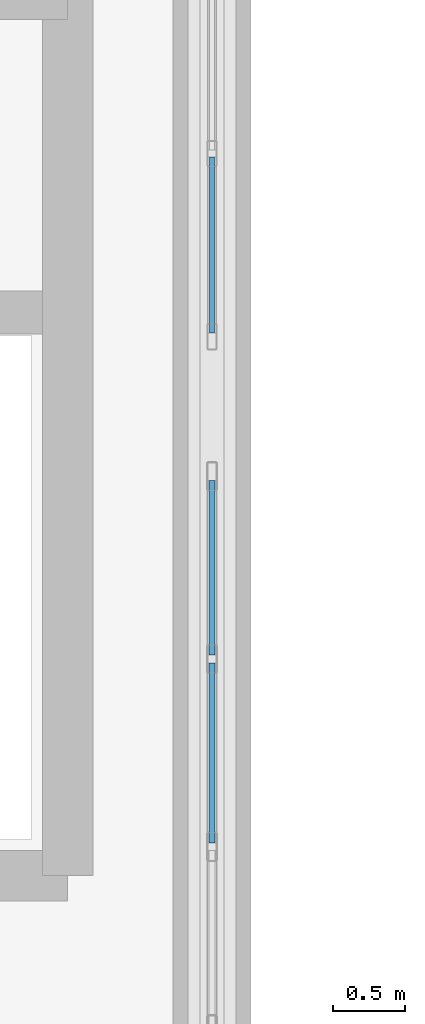
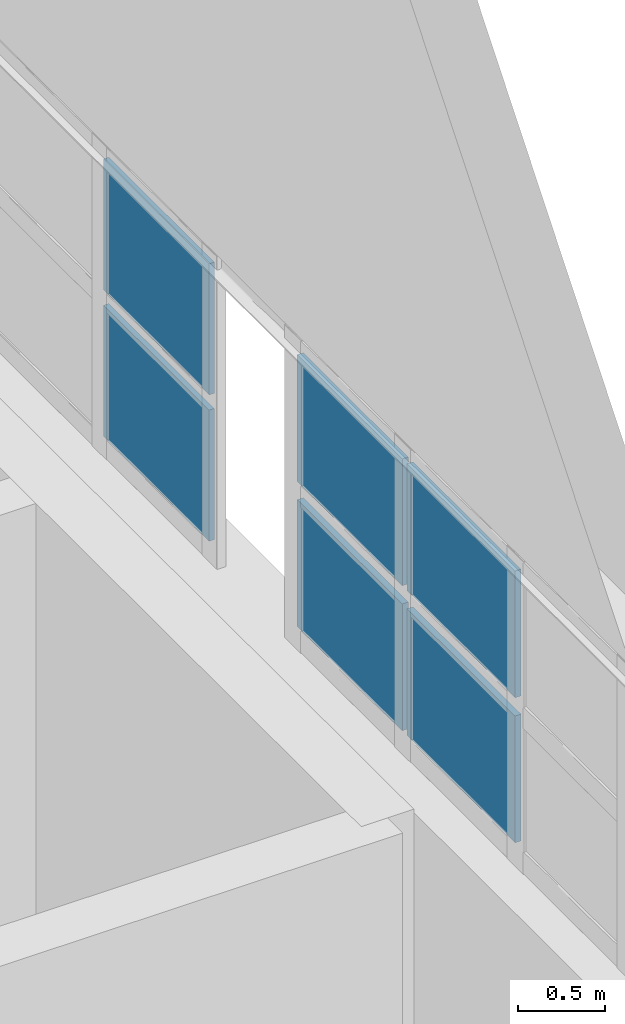
# One storey, part 74 of 97: 6 plates, 2 elements without a shape of their own.
"""IFC4 building model written with IfcOpenShell, lengths in metres."""

import ifcopenshell
import ifcopenshell.guid

model = None  # the IFC model being written
_history = None  # IfcOwnerHistory: only IFC2X3 demands one
_inside = {}  # id of a spatial element -> (the spatial element, [elements in it])
_under = {}  # id of a project, library or spatial element -> (it, [spatial elements below it])
_declared = {}  # id of a project -> (the project, [libraries it declares])
_typed = {}  # id of a type object -> (the type object, [elements of that type])
_made_of = {}  # id of a material, layer set ... -> (it, [elements and type objects made of it])


def new_model(schema):
    """Start an empty IFC model of exactly this schema.

    Asked for "IFC4X3", IfcOpenShell would pick the latest addendum, in which some entities
    have other attributes; the version numbers below select the first issue.
    IFC2X3 requires an IfcOwnerHistory on every rooted entity: one is made here for all.
    """
    global model, _history
    if schema == "IFC4X3":
        model = ifcopenshell.file(schema_version=(4, 3, 0, 0))
    else:
        model = ifcopenshell.file(schema=schema)
    _inside.clear()
    _under.clear()
    _declared.clear()
    _typed.clear()
    _made_of.clear()
    _history = None
    if model.schema == "IFC2X3":
        org = make("IfcOrganization", Name="unknown")
        user = make(
            "IfcPersonAndOrganization",
            ThePerson=make("IfcPerson", FamilyName="unknown"),
            TheOrganization=org,
        )
        app = make(
            "IfcApplication",
            ApplicationDeveloper=org,
            Version="unknown",
            ApplicationFullName="unknown",
            ApplicationIdentifier="unknown",
        )
        _history = make(
            "IfcOwnerHistory",
            OwningUser=user,
            OwningApplication=app,
            ChangeAction="ADDED",
            CreationDate=0,
        )
    return model


def make(cls, **values):
    """One entity of the class cls with the attributes given. An attribute that is None is left unset."""
    return model.create_entity(
        cls, **{name: value for name, value in values.items() if value is not None}
    )


def rooted(cls, **values):
    """An entity with a GlobalId (a new one), such as an element, a storey or a relation."""
    return make(cls, GlobalId=ifcopenshell.guid.new(), OwnerHistory=_history, **values)


def si_unit(unit_type, name, prefix=None):
    """IfcSIUnit, for example si_unit("LENGTHUNIT", "METRE", prefix="MILLI")."""
    return make("IfcSIUnit", UnitType=unit_type, Prefix=prefix, Name=name)


def derived_unit(unit_type, elements):
    """IfcDerivedUnit: a product of units, each with its exponent."""
    return make(
        "IfcDerivedUnit",
        Elements=[
            make("IfcDerivedUnitElement", Unit=unit, Exponent=power)
            for unit, power in elements
        ],
        UnitType=unit_type,
    )


def assignment(units):
    """IfcUnitAssignment: the units of a project."""
    return None if units is None else make("IfcUnitAssignment", Units=units)


def point(xyz):
    """IfcCartesianPoint."""
    return None if xyz is None else make("IfcCartesianPoint", Coordinates=xyz)


def direction(xyz):
    """IfcDirection."""
    return None if xyz is None else make("IfcDirection", DirectionRatios=xyz)


def frame(location, z_axis=None, x_axis=None):
    """IfcAxis2Placement3D, a coordinate frame: its origin and axes. An axis left out is left unset."""
    return make(
        "IfcAxis2Placement3D",
        Location=point(location),
        Axis=direction(z_axis),
        RefDirection=direction(x_axis),
    )


def frame_2d(location, x_axis=None):
    """IfcAxis2Placement2D, a coordinate frame in the plane: its origin and x axis."""
    return make(
        "IfcAxis2Placement2D", Location=point(location), RefDirection=direction(x_axis)
    )


def origin():
    """The frame at (0, 0, 0) with its axes left unset."""
    return frame((0.0, 0.0, 0.0))


def origin_2d():
    """The frame at (0, 0) in the plane with its x axis left unset."""
    return frame_2d((0.0, 0.0))


def place(relative_to, where):
    """IfcLocalPlacement: puts the frame where relative to a parent placement (None: the world)."""
    return make(
        "IfcLocalPlacement", PlacementRelTo=relative_to, RelativePlacement=where
    )


def context(
    kind, dimensions, precision=None, world=None, true_north=None, identifier=None
):
    """IfcGeometricRepresentationContext, for example the 3D "Model" context."""
    return make(
        "IfcGeometricRepresentationContext",
        ContextIdentifier=identifier,
        ContextType=kind,
        CoordinateSpaceDimension=dimensions,
        Precision=precision,
        WorldCoordinateSystem=world,
        TrueNorth=true_north,
    )


def subcontext(parent, identifier, kind, view, scale=None):
    """IfcGeometricRepresentationSubContext, for example "Body" below "Model"."""
    return make(
        "IfcGeometricRepresentationSubContext",
        ContextIdentifier=identifier,
        ContextType=kind,
        ParentContext=parent,
        TargetScale=scale,
        TargetView=view,
    )


def project(units=None, contexts=None):
    """IfcProject with its units and contexts."""
    return rooted(
        "IfcProject",
        Name="project",
        RepresentationContexts=contexts,
        UnitsInContext=assignment(units),
    )


def spatial(cls, under=None, at=None, **own):
    """A site, building, storey or space (cls), placed at a placement, below another one or the project."""
    s = rooted(cls, ObjectPlacement=at, **own)
    if under is not None:
        _under.setdefault(under.id(), (under, []))[1].append(s)
    return s


def profile(cls, at=None, kind="AREA", **sizes):
    """A parametric profile (cls). Its sizes go by their IFC names, for example OverallWidth=200.0."""
    return make(cls, ProfileType=kind, Position=at, **sizes)


def rectangle(**sizes):
    """IfcRectangleProfileDef."""
    return profile("IfcRectangleProfileDef", **sizes)


def extrude(swept, where, along, depth):
    """IfcExtrudedAreaSolid: the profile swept, set in the frame where, extruded along a direction by depth."""
    return make(
        "IfcExtrudedAreaSolid",
        SweptArea=swept,
        Position=where,
        ExtrudedDirection=direction(along),
        Depth=depth,
    )


def shape(context_of_items, identifier, shape_type, items):
    """IfcShapeRepresentation: the items that make up one representation, for example the "Body"."""
    return make(
        "IfcShapeRepresentation",
        ContextOfItems=context_of_items,
        RepresentationIdentifier=identifier,
        RepresentationType=shape_type,
        Items=items,
    )


def material(Name=None, Category=None):
    """IfcMaterial."""
    return make("IfcMaterial", Name=Name, Category=Category)


def layer(
    of_material, thickness, ventilated=None, Name=None, Category=None, Priority=None
):
    """IfcMaterialLayer: one layer of a wall or slab, of a material (None: an air gap)."""
    return make(
        "IfcMaterialLayer",
        Material=of_material,
        LayerThickness=thickness,
        IsVentilated=ventilated,
        Name=Name,
        Category=Category,
        Priority=Priority,
    )


def layer_set(layers, Name=None):
    """IfcMaterialLayerSet."""
    return make("IfcMaterialLayerSet", MaterialLayers=layers, LayerSetName=Name)


def made_of(thing, what):
    """Note that an element or type object is made of a material, layer set ...; save() writes the relation."""
    if what is not None:
        _made_of.setdefault(what.id(), (what, []))[1].append(thing)
    return thing


def type_object(cls, material=None, **own):
    """A type object (cls), such as IfcWallType, which elements share."""
    return made_of(rooted(cls, **own), material)


def element(
    cls,
    number,
    at=None,
    inside=None,
    cuts=None,
    type_object=None,
    material=None,
    context=None,
    identifier="Body",
    shape_type=None,
    held_by="IfcProductDefinitionShape",
    body=None,
    shapes=None,
    **own,
):
    """One element of the class cls, such as IfcWall. Its Tag is "e" and its number.

    at: its placement. inside: the storey or other place that contains it. cuts: it is an
    opening in that element (IfcRelVoidsElement). A single representation is given by context,
    identifier, shape_type and body (its items); several are given by shapes. held_by: the class
    of the entity that holds the representations. save() writes the other relations.
    """
    e = rooted(cls, Tag="e%d" % number, ObjectPlacement=at, **own)
    if body is not None:
        shapes = [shape(context, identifier, shape_type, body)]
    if shapes is not None:
        e.Representation = make(held_by, Representations=shapes)
    if inside is not None:
        _inside.setdefault(inside.id(), (inside, []))[1].append(e)
    if cuts is not None:
        rooted(
            "IfcRelVoidsElement", RelatingBuildingElement=cuts, RelatedOpeningElement=e
        )
    if type_object is not None:
        _typed.setdefault(type_object.id(), (type_object, []))[1].append(e)
    return made_of(e, material)


def aggregate(whole, parts):
    """IfcRelAggregates: a whole, such as a stair, and the parts it consists of."""
    return rooted("IfcRelAggregates", RelatingObject=whole, RelatedObjects=parts)


def save(model, path):
    """Write the relations noted so far, then the file.

    IfcRelAggregates (storeys below a building ...), IfcRelContainedInSpatialStructure (elements
    in a storey), IfcRelDefinesByType, IfcRelAssociatesMaterial and IfcRelDeclares: one each for
    every whole, place, type object, material and project.
    """
    for whole, parts in _under.values():
        aggregate(whole, parts)
    for where, things in _inside.values():
        rooted(
            "IfcRelContainedInSpatialStructure",
            RelatedElements=things,
            RelatingStructure=where,
        )
    for kind, things in _typed.values():
        rooted("IfcRelDefinesByType", RelatedObjects=things, RelatingType=kind)
    for what, things in _made_of.values():
        rooted("IfcRelAssociatesMaterial", RelatedObjects=things, RelatingMaterial=what)
    for by, libraries in _declared.values():
        rooted("IfcRelDeclares", RelatingContext=by, RelatedDefinitions=libraries)
    model.write(path)


model = new_model("IFC4")

# Units and contexts
model_context = context("Model", 3, precision=1e-05, world=origin(), true_north=direction((0.0, 1.0)))
body_context = subcontext(model_context, "Body", "Model", "MODEL_VIEW")
ifc_project = project(units=[si_unit("LENGTHUNIT", "METRE"), si_unit("AREAUNIT", "SQUARE_METRE"), si_unit("VOLUMEUNIT", "CUBIC_METRE"), si_unit("PLANEANGLEUNIT", "RADIAN"), si_unit("MASSUNIT", "GRAM", prefix="KILO"), derived_unit("THERMALTRANSMITTANCEUNIT", [(si_unit("POWERUNIT", "WATT"), 1), (si_unit("LENGTHUNIT", "METRE"), -2), (si_unit("THERMODYNAMICTEMPERATUREUNIT", "KELVIN"), -1)])], contexts=[model_context])

# Site, building, storey
site_placement = place(None, origin())
site = spatial("IfcSite", under=ifc_project, at=site_placement, CompositionType="ELEMENT")
building_placement = place(site_placement, origin())
building = spatial("IfcBuilding", under=site, at=building_placement, Name="Almenara Railside Exhibition Hall", CompositionType="ELEMENT")
storey_placement = place(building_placement, frame((0.0, 0.0, 10.800048828125)))
storey = spatial("IfcBuildingStorey", under=building, at=storey_placement, Name="L02", CompositionType="ELEMENT", Elevation=10.800048828125)

# Curtain wall, plates
ifc_material_1 = material(Name="Bronze-anodised aluminium and low-E double glazing", Category="aluminium")
ifc_layer_1 = layer(ifc_material_1, 0.179931640625, Name="Bronze-anodised aluminium and low-E double glazing")
ifc_layer_set_1 = layer_set([ifc_layer_1], Name="Bronze-anodised aluminium and low-E double glazing")
curtain_wall_type = type_object("IfcCurtainWallType", Name="West Hall Clerestory Curtain Wall 3900x2200", PredefinedType="NOTDEFINED", material=ifc_layer_set_1)
curtain_wall_1_placement = place(storey_placement, origin())
curtain_wall_1 = element("IfcCurtainWall", 1, at=curtain_wall_1_placement, inside=storey, type_object=curtain_wall_type, Name="Curtain wall CW-CL2-023", PredefinedType="NOTDEFINED")
ifc_material_2 = material(Name="Bronze-anodised insulated aluminium spandrel", Category="aluminium")
ifc_layer_2 = layer(ifc_material_2, 0.0400390625, Name="Bronze-anodised insulated aluminium spandrel")
ifc_layer_set_2 = layer_set([ifc_layer_2], Name="Bronze-anodised insulated aluminium spandrel")
plate_type_1 = type_object("IfcPlateType", Name="Insulated Bronze Spandrel Panel 40mm", PredefinedType="CURTAIN_PANEL", material=ifc_layer_set_2)
plate_1_placement = place(storey_placement, frame((66.0, 123.449951171875, 4.743896484375), z_axis=(0.0, 0.0, 1.0), x_axis=(0.0, 1.0, 0.0)))
plate_1 = element("IfcPlate", 2, at=plate_1_placement, type_object=plate_type_1, Name="CW-CL2-023 panel 2.1", PredefinedType="CURTAIN_PANEL", context=body_context, shape_type="SweptSolid", body=[
    extrude(rectangle(XDim=1.24609375, YDim=0.0400390625, at=origin_2d()), origin(), (0.0, 0.0, 1.0), 0.89208984375),
])
plate_2_placement = place(storey_placement, frame((66.0, 123.449951171875, 5.763916015625), z_axis=(0.0, 0.0, 1.0), x_axis=(0.0, 1.0, 0.0)))
plate_2 = element("IfcPlate", 3, at=plate_2_placement, type_object=plate_type_1, Name="CW-CL2-023 panel 2.2", PredefinedType="CURTAIN_PANEL", context=body_context, shape_type="SweptSolid", body=[
    extrude(rectangle(XDim=1.24609375, YDim=0.0400390625, at=origin_2d()), origin(), (0.0, 0.0, 1.0), 0.89208984375),
])
plate_3_placement = place(storey_placement, frame((66.0, 124.732421875, 4.743896484375), z_axis=(0.0, 0.0, 1.0), x_axis=(0.0, 1.0, 0.0)))
plate_3 = element("IfcPlate", 4, at=plate_3_placement, type_object=plate_type_1, Name="CW-CL2-023 panel 3.1", PredefinedType="CURTAIN_PANEL", context=body_context, shape_type="SweptSolid", body=[
    extrude(rectangle(XDim=1.2109375, YDim=0.0400390625, at=origin_2d()), origin(), (0.0, 0.0, 1.0), 0.89208984375),
])
plate_4_placement = place(storey_placement, frame((66.0, 124.732421875, 5.763916015625), z_axis=(0.0, 0.0, 1.0), x_axis=(0.0, 1.0, 0.0)))
plate_4 = element("IfcPlate", 5, at=plate_4_placement, type_object=plate_type_1, Name="CW-CL2-023 panel 3.2", PredefinedType="CURTAIN_PANEL", context=body_context, shape_type="SweptSolid", body=[
    extrude(rectangle(XDim=1.2109375, YDim=0.0400390625, at=origin_2d()), origin(), (0.0, 0.0, 1.0), 0.89208984375),
])
aggregate(curtain_wall_1, [plate_1, plate_2, plate_3, plate_4])

curtain_wall_2_placement = place(storey_placement, origin())
curtain_wall_2 = element("IfcCurtainWall", 6, at=curtain_wall_2_placement, inside=storey, type_object=curtain_wall_type, Name="Curtain wall CW-CL2-024", PredefinedType="NOTDEFINED")
ifc_layer_3 = layer(ifc_material_2, 0.034912109375, Name="Bronze-anodised insulated aluminium spandrel")
ifc_layer_set_3 = layer_set([ifc_layer_3], Name="Bronze-anodised insulated aluminium spandrel")
plate_type_2 = type_object("IfcPlateType", Name="Insulated Stucco-Tone Spandrel Panel 35mm", PredefinedType="CURTAIN_PANEL", material=ifc_layer_set_3)
plate_5_placement = place(storey_placement, frame((66.0, 126.96630859375, 4.72412109375), z_axis=(0.0, 0.0, 1.0), x_axis=(0.0, 1.0, 0.0)))
plate_5 = element("IfcPlate", 7, at=plate_5_placement, type_object=plate_type_2, Name="CW-CL2-024 panel 1.1", PredefinedType="CURTAIN_PANEL", context=body_context, shape_type="SweptSolid", body=[
    extrude(rectangle(XDim=1.218505859375, YDim=0.034912109375, at=origin_2d()), origin(), (0.0, 0.0, 1.0), 0.922119140625),
])
plate_6_placement = place(storey_placement, frame((66.0, 126.96630859375, 5.75390625), z_axis=(0.0, 0.0, 1.0), x_axis=(0.0, 1.0, 0.0)))
plate_6 = element("IfcPlate", 8, at=plate_6_placement, type_object=plate_type_2, Name="CW-CL2-024 panel 1.2", PredefinedType="CURTAIN_PANEL", context=body_context, shape_type="SweptSolid", body=[
    extrude(rectangle(XDim=1.218505859375, YDim=0.034912109375, at=origin_2d()), origin(), (0.0, 0.0, 1.0), 0.922119140625),
])
aggregate(curtain_wall_2, [plate_5, plate_6])

save(model, "model.ifc")
